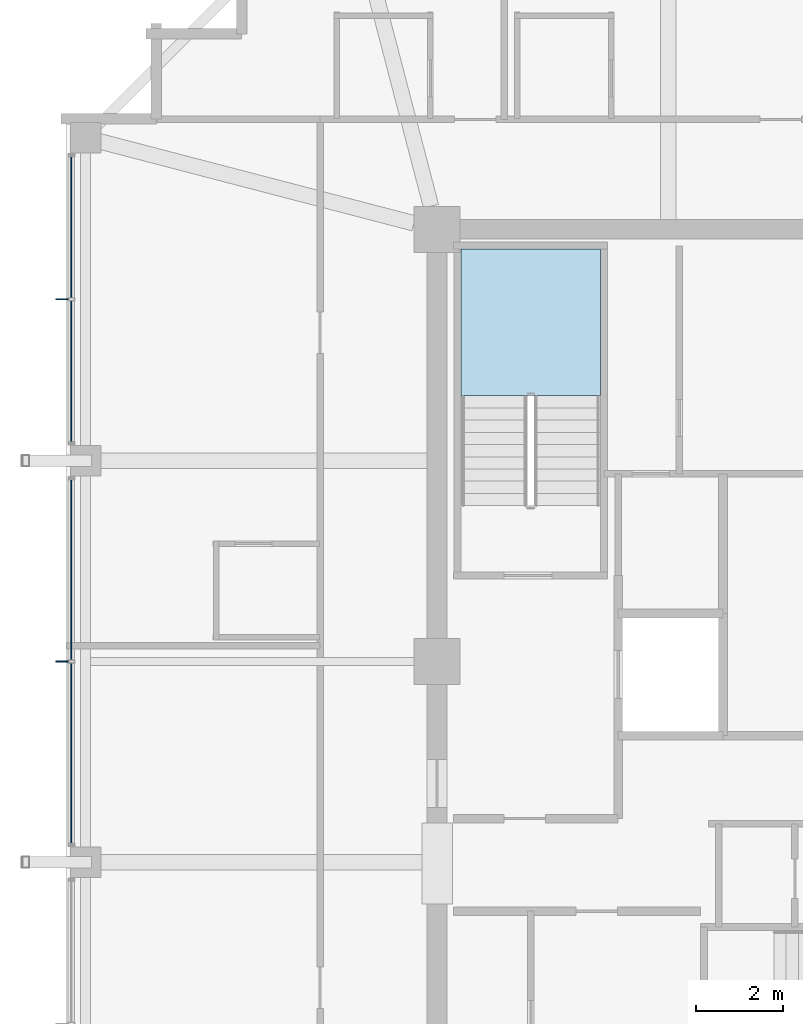
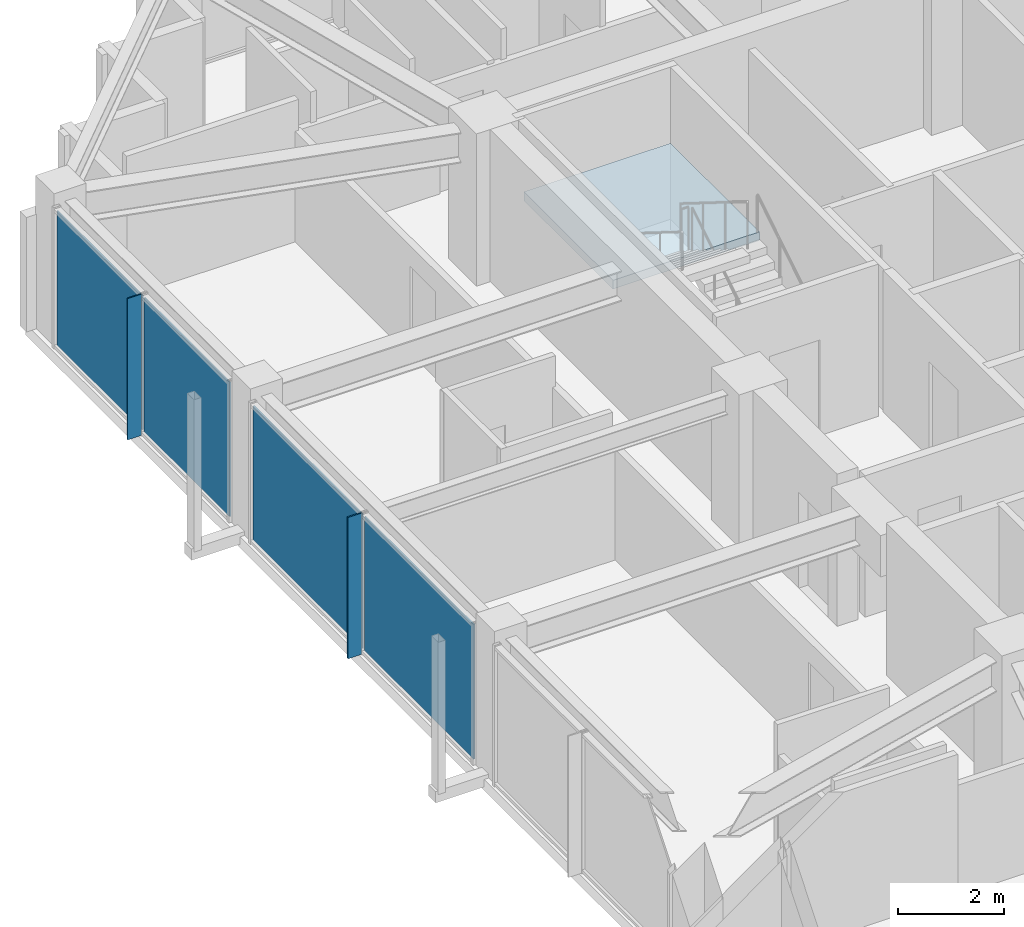
# One storey, part 20 of 29: 6 plates, 1 slab, 3 elements without a shape of their own.
"""IFC4 building model written with IfcOpenShell, lengths in metres."""

from ifc_helpers import new_model, si_unit, direction, frame, origin, origin_2d, place, context, subcontext, project, spatial, polyline, rectangle, outline, extrude, material, layer, layer_set, type_object, element, aggregate, save


model = new_model("IFC4")

# Units and contexts
model_context = context("Model", 3, precision=1e-05, world=origin(), true_north=direction((0.0, 1.0)))
body_context = subcontext(model_context, "Body", "Model", "MODEL_VIEW")
ifc_project = project(units=[si_unit("LENGTHUNIT", "METRE"), si_unit("AREAUNIT", "SQUARE_METRE"), si_unit("VOLUMEUNIT", "CUBIC_METRE"), si_unit("PLANEANGLEUNIT", "RADIAN"), si_unit("MASSUNIT", "GRAM", prefix="KILO")], contexts=[model_context])

# Site, building, storey
site_placement = place(None, origin())
site = spatial("IfcSite", under=ifc_project, at=site_placement, CompositionType="ELEMENT")
building_placement = place(site_placement, origin())
building = spatial("IfcBuilding", under=site, at=building_placement, Name="Kolvaren Belvedere", CompositionType="ELEMENT")
storey_placement = place(building_placement, frame((0.0, 0.0, 244.39990234375)))
storey = spatial("IfcBuildingStorey", under=building, at=storey_placement, Name="L71", CompositionType="ELEMENT", Elevation=244.39990234375)

# Curtain wall, plates
ifc_material_1 = material(Name="Anodised pale-metal aluminium AA 6063-T6", Category="aluminium")
curtain_wall_type = type_object("IfcCurtainWallType", Name="CW-Z5-HIGH", PredefinedType="NOTDEFINED", material=ifc_material_1)
curtain_wall_1_placement = place(storey_placement, origin())
curtain_wall_1 = element("IfcCurtainWall", 1, at=curtain_wall_1_placement, inside=storey, type_object=curtain_wall_type, Name="L71 Unitised Curtain Wall FCW-L71-W-B2", PredefinedType="NOTDEFINED")
ifc_material_2 = material(Name="Low-iron triple insulated glass", Category="glass")
ifc_layer_1 = layer(ifc_material_2, 0.028076171875)
ifc_layer_set_1 = layer_set([ifc_layer_1], Name="Low-iron triple insulated glass")
plate_type_1 = type_object("IfcPlateType", Name="CW-PNL-VIS28", PredefinedType="CURTAIN_PANEL", material=ifc_layer_set_1)
plate_1_placement = place(storey_placement, frame((-18.280029296875, -2.097412109375, 0.080078125), z_axis=(0.0, 0.0, 1.0), x_axis=(0.0, 1.0, 0.0)))
plate_1 = element("IfcPlate", 2, at=plate_1_placement, type_object=plate_type_1, Name="FCW-L71-W-B2 Vision Glazing Panel 1", PredefinedType="CURTAIN_PANEL", context=body_context, shape_type="SweptSolid", body=[
    extrude(rectangle(XDim=4.114990234375, YDim=0.028076171875, at=origin_2d()), origin(), (0.0, 0.0, 1.0), 3.090087890625),
])
plate_2_placement = place(storey_placement, frame((-18.280029296875, 2.097412109375, 0.080078125), z_axis=(0.0, 0.0, 1.0), x_axis=(0.0, 1.0, 0.0)))
plate_2 = element("IfcPlate", 3, at=plate_2_placement, type_object=plate_type_1, Name="FCW-L71-W-B2 Vision Glazing Panel 2", PredefinedType="CURTAIN_PANEL", context=body_context, shape_type="SweptSolid", body=[
    extrude(rectangle(XDim=4.114990234375, YDim=0.028076171875, at=origin_2d()), origin(), (0.0, 0.0, 1.0), 3.090087890625),
])
aggregate(curtain_wall_1, [plate_1, plate_2])

curtain_wall_2_placement = place(storey_placement, origin())
curtain_wall_2 = element("IfcCurtainWall", 4, at=curtain_wall_2_placement, inside=storey, type_object=curtain_wall_type, Name="L71 Unitised Curtain Wall FCW-L71-W-B3", PredefinedType="NOTDEFINED")
plate_3_placement = place(storey_placement, frame((-18.280029296875, 6.652587890625, 0.080078125), z_axis=(0.0, 0.0, 1.0), x_axis=(0.0, 1.0, 0.0)))
plate_3 = element("IfcPlate", 5, at=plate_3_placement, type_object=plate_type_1, Name="FCW-L71-W-B3 Vision Glazing Panel 1", PredefinedType="CURTAIN_PANEL", context=body_context, shape_type="SweptSolid", body=[
    extrude(rectangle(XDim=3.215087890625, YDim=0.028076171875, at=origin_2d()), origin(), (0.0, 0.0, 1.0), 3.090087890625),
])
plate_4_placement = place(storey_placement, frame((-18.280029296875, 9.947509765625, 0.080078125), z_axis=(0.0, 0.0, 1.0), x_axis=(0.0, 1.0, 0.0)))
plate_4 = element("IfcPlate", 6, at=plate_4_placement, type_object=plate_type_1, Name="FCW-L71-W-B3 Vision Glazing Panel 2", PredefinedType="CURTAIN_PANEL", context=body_context, shape_type="SweptSolid", body=[
    extrude(rectangle(XDim=3.215087890625, YDim=0.028076171875, at=origin_2d()), origin(), (0.0, 0.0, 1.0), 3.090087890625),
])
aggregate(curtain_wall_2, [plate_3, plate_4])

# Plates
ifc_material_3 = material(Name="Anodised pale-metal aluminium AA 6063-T6", Category="aluminium")
ifc_layer_2 = layer(ifc_material_3, 0.030029296875)
ifc_layer_set_2 = layer_set([ifc_layer_2], Name="Anodised pale-metal aluminium AA 6063-T6")
plate_type_2 = type_object("IfcPlateType", Name="FIN-VERT-300", PredefinedType="USERDEFINED", material=ifc_layer_set_2)
for number, where, z_axis, x_axis, name in (
    (7, (-18.489990234375, 0.0, 0.0), (0.0, 0.0, 1.0), (1.0, 0.0, 0.0), "L71 Pale-Metal Vertical Shading Fin FCW-L71-W-B2-1"),
    (8, (-18.489990234375, 8.300048828125, 0.0), (0.0, 0.0, 1.0), (1.0, 0.0, 0.0), "L71 Pale-Metal Vertical Shading Fin FCW-L71-W-B3-1"),
):
    element("IfcPlate", number, at=place(storey_placement, frame(where, z_axis=z_axis, x_axis=x_axis)), inside=storey, type_object=plate_type_2, Name=name, ObjectType="VERTICAL FIN", PredefinedType="USERDEFINED", context=body_context, shape_type="SweptSolid", body=[
        extrude(rectangle(XDim=0.300048828125, YDim=0.030029296875, at=origin_2d()), origin(), (0.0, 0.0, 1.0), 3.25),
    ])

# Stair, slab
ifc_material_4 = material(Name="Concrete C50/60", Category="concrete")
stair_type = type_object("IfcStairType", Name="ST-CORE-1520", PredefinedType="HALF_TURN_STAIR", material=ifc_material_4)
stair_placement = place(storey_placement, origin())
stair = element("IfcStair", 9, at=stair_placement, inside=storey, type_object=stair_type, Name="L71 Protected Exit Stair ST-1", PredefinedType="HALF_TURN_STAIR")
ifc_material_5 = material(Name="Concrete C50/60", Category="concrete")
ifc_layer_3 = layer(ifc_material_5, 0.260009765625)
ifc_layer_set_3 = layer_set([ifc_layer_3], Name="Concrete C50/60")
slab_type = type_object("IfcSlabType", Name="SL-LAND-260", PredefinedType="LANDING", material=ifc_layer_set_3)
slab_placement = place(storey_placement, frame((0.0, 0.0, 1.550048828125)))
slab = element("IfcSlab", 10, at=slab_placement, type_object=slab_type, Name="ST-1 landing 1", PredefinedType="LANDING", context=body_context, shape_type="SweptSolid", body=[
    extrude(outline(polyline([(-6.159912109375, 6.090087890625), (-6.159912109375, 9.449951171875), (-9.35009765625, 9.449951171875), (-9.35009765625, 6.090087890625), (-6.159912109375, 6.090087890625)])), origin(), (0.0, 0.0, 1.0), 0.199951171875),
])
aggregate(stair, [slab])

save(model, "model.ifc")
